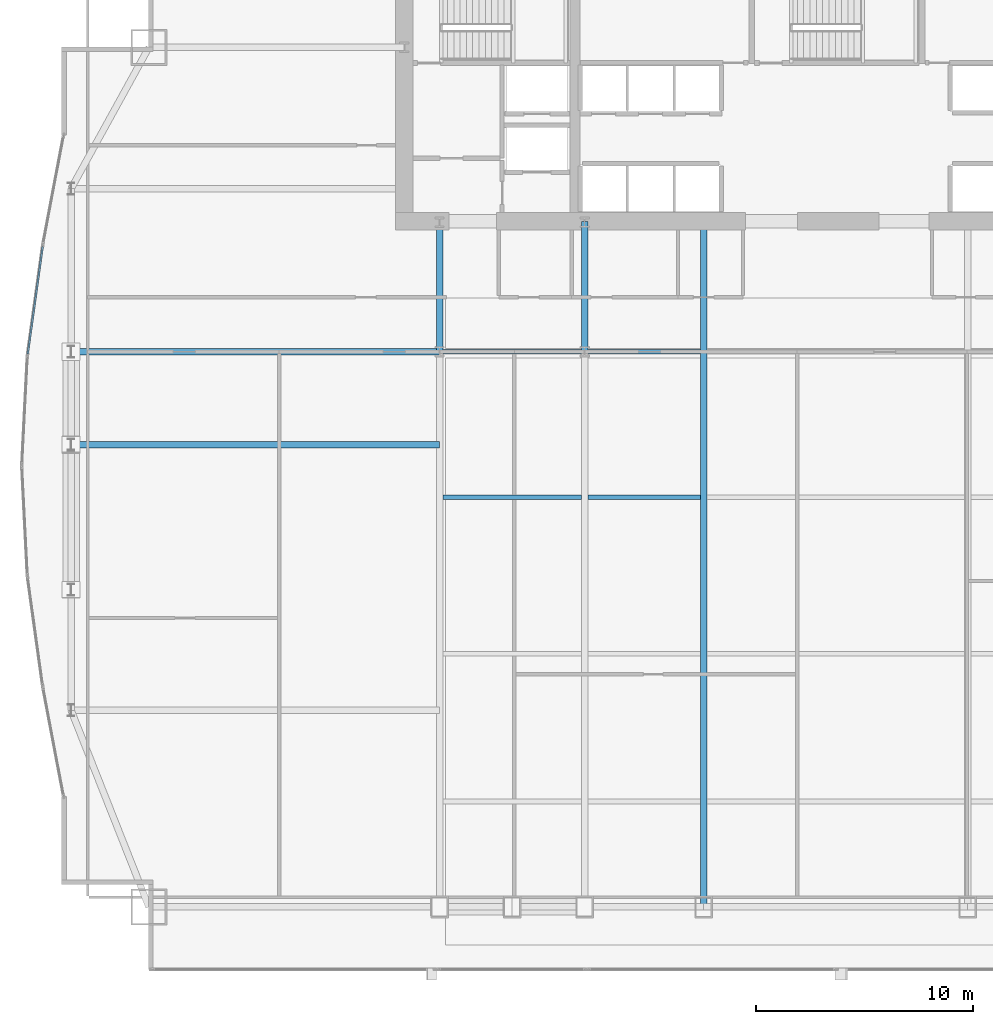
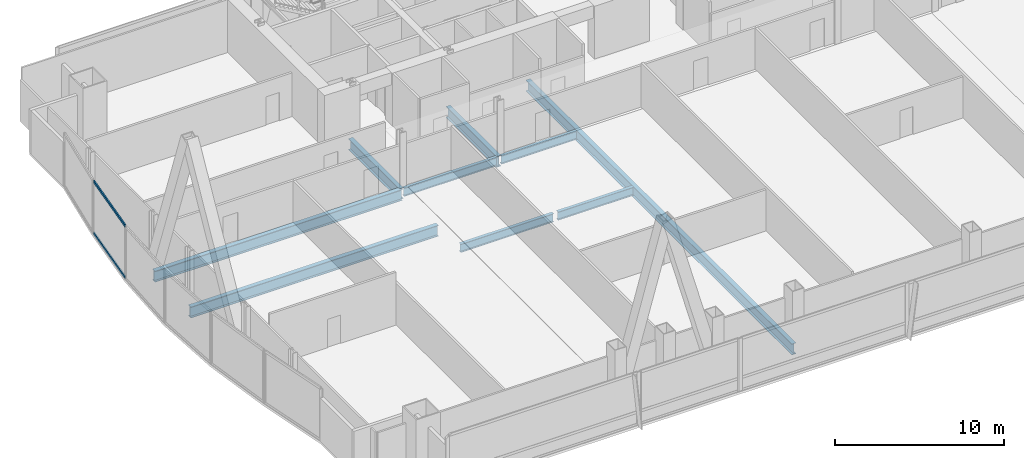
# One storey, part 11 of 37: 9 beams, 2 members, 1 element without a shape of its own.
"""IFC4 building model written with IfcOpenShell, lengths in metres."""

from ifc_helpers import new_model, si_unit, direction, frame, origin, origin_2d, place, context, subcontext, project, spatial, hollow_rectangle, i_section, extrude, material, material_profile, profile_set, type_object, element, aggregate, save


model = new_model("IFC4")

# Units and contexts
model_context = context("Model", 3, precision=1e-05, world=origin(), true_north=direction((0.0, 1.0)))
body_context = subcontext(model_context, "Body", "Model", "MODEL_VIEW")
ifc_project = project(units=[si_unit("LENGTHUNIT", "METRE"), si_unit("AREAUNIT", "SQUARE_METRE"), si_unit("VOLUMEUNIT", "CUBIC_METRE"), si_unit("PLANEANGLEUNIT", "RADIAN"), si_unit("MASSUNIT", "GRAM", prefix="KILO")], contexts=[model_context])

# Site, building, storey
site_placement = place(None, origin())
site = spatial("IfcSite", under=ifc_project, at=site_placement, CompositionType="ELEMENT")
building_placement = place(site_placement, origin())
building = spatial("IfcBuilding", under=site, at=building_placement, Name="Khoronbel Lancet Exchange", CompositionType="ELEMENT")
storey_placement = place(building_placement, frame((0.0, 0.0, 61.800048828125)))
storey = spatial("IfcBuildingStorey", under=building, at=storey_placement, Name="L14", CompositionType="ELEMENT", Elevation=61.800048828125)

# Beams
ifc_material_1 = material(Name="Steel S355", Category="steel")
ifc_material_profile_1 = material_profile(ifc_material_1, i_section(OverallWidth=0.300048828125, OverallDepth=0.800048828125, WebThickness=0.017578125, FlangeThickness=0.032958984375, at=origin_2d()), Name="HEB 800")
ifc_profile_set_1 = profile_set([ifc_material_profile_1], Name="Steel S355")
beam_type_1 = type_object("IfcBeamType", Name="BM-BG2", PredefinedType="BEAM", material=ifc_profile_set_1)
for number, where, z_axis, x_axis, name in (
    (1, (18.22509765625, 35.699951171875, -0.580078125), (0.0, 1.0, 0.0), (-1.0, 0.0, 0.0), "Level L14 spine tie girder GN1"),
    (2, (24.89990234375, 35.699951171875, -0.580078125), (0.0, 1.0, 0.0), (-1.0, 0.0, 0.0), "Level L14 spine tie girder GN2"),
):
    element("IfcBeam", number, at=place(storey_placement, frame(where, z_axis=z_axis, x_axis=x_axis)), inside=storey, type_object=beam_type_1, Name=name, PredefinedType="BEAM", context=body_context, shape_type="SweptSolid", body=[
        extrude(i_section(OverallWidth=0.300048828125, OverallDepth=0.800048828125, WebThickness=0.017578125, FlangeThickness=0.032958984375, at=origin_2d()), origin(), (0.0, 0.0, 1.0), 6.0),
    ])
beam_1_placement = place(storey_placement, frame((30.375, 10.14990234375, -0.580078125), z_axis=(0.0, 1.0, 0.0), x_axis=(-1.0, 0.0, 0.0)))
element("IfcBeam", 3, at=beam_1_placement, inside=storey, type_object=beam_type_1, Name="Level L14 primary floor girder G3", PredefinedType="BEAM", context=body_context, shape_type="SweptSolid", body=[
    extrude(i_section(OverallWidth=0.300048828125, OverallDepth=0.800048828125, WebThickness=0.017578125, FlangeThickness=0.032958984375, at=origin_2d()), origin(), (0.0, 0.0, 1.0), 31.550048828125),
])
for number, where, z_axis, x_axis, name in (
    (4, (1.27001953125, 31.425048828125, -0.580078125), (1.0, 0.0, 0.0), (0.0, 1.0, 0.0), "Level L14 west lens tie girder LG2W"),
    (5, (1.27001953125, 35.699951171875, -0.580078125), (1.0, 0.0, 0.0), (0.0, 1.0, 0.0), "Level L14 west lens tie girder LG4W"),
):
    element("IfcBeam", number, at=place(storey_placement, frame(where, z_axis=z_axis, x_axis=x_axis)), inside=storey, type_object=beam_type_1, Name=name, PredefinedType="BEAM", context=body_context, shape_type="SweptSolid", body=[
        extrude(i_section(OverallWidth=0.300048828125, OverallDepth=0.800048828125, WebThickness=0.017578125, FlangeThickness=0.032958984375, at=origin_2d()), origin(), (0.0, 0.0, 1.0), 16.955078125),
    ])
ifc_material_profile_2 = material_profile(ifc_material_1, i_section(OverallWidth=0.219970703125, OverallDepth=0.60009765625, WebThickness=0.011962890625, FlangeThickness=0.01904296875, at=origin_2d()), Name="IPE 600")
ifc_profile_set_2 = profile_set([ifc_material_profile_2], Name="Steel S355")
beam_type_2 = type_object("IfcBeamType", Name="BM-BJ1", PredefinedType="JOIST", material=ifc_profile_set_2)
beam_2_placement = place(storey_placement, frame((18.375, 29.0, -0.47998046875), z_axis=(1.0, 0.0, 0.0), x_axis=(0.0, 1.0, 0.0)))
element("IfcBeam", 6, at=beam_2_placement, inside=storey, type_object=beam_type_2, Name="Level L14 secondary composite joist J11", PredefinedType="JOIST", context=body_context, shape_type="SweptSolid", body=[
    extrude(i_section(OverallWidth=0.219970703125, OverallDepth=0.60009765625, WebThickness=0.011962890625, FlangeThickness=0.01904296875, at=origin_2d()), origin(), (0.0, 0.0, 1.0), 6.375),
])
beam_3_placement = place(storey_placement, frame((25.050048828125, 29.0, -0.47998046875), z_axis=(1.0, 0.0, 0.0), x_axis=(0.0, 1.0, 0.0)))
element("IfcBeam", 7, at=beam_3_placement, inside=storey, type_object=beam_type_2, Name="Level L14 secondary composite joist J12", PredefinedType="JOIST", context=body_context, shape_type="SweptSolid", body=[
    extrude(i_section(OverallWidth=0.219970703125, OverallDepth=0.60009765625, WebThickness=0.011962890625, FlangeThickness=0.01904296875, at=origin_2d()), origin(), (0.0, 0.0, 1.0), 5.175048828125),
])
beam_4_placement = place(storey_placement, frame((18.375, 35.699951171875, -0.47998046875), z_axis=(1.0, 0.0, 0.0), x_axis=(0.0, 1.0, 0.0)))
element("IfcBeam", 8, at=beam_4_placement, inside=storey, type_object=beam_type_2, Name="Level L14 secondary composite joist J16", PredefinedType="JOIST", context=body_context, shape_type="SweptSolid", body=[
    extrude(i_section(OverallWidth=0.219970703125, OverallDepth=0.60009765625, WebThickness=0.011962890625, FlangeThickness=0.01904296875, at=origin_2d()), origin(), (0.0, 0.0, 1.0), 6.375),
])
beam_5_placement = place(storey_placement, frame((25.050048828125, 35.699951171875, -0.47998046875), z_axis=(1.0, 0.0, 0.0), x_axis=(0.0, 1.0, 0.0)))
element("IfcBeam", 9, at=beam_5_placement, inside=storey, type_object=beam_type_2, Name="Level L14 secondary composite joist J17", PredefinedType="JOIST", context=body_context, shape_type="SweptSolid", body=[
    extrude(i_section(OverallWidth=0.219970703125, OverallDepth=0.60009765625, WebThickness=0.011962890625, FlangeThickness=0.01904296875, at=origin_2d()), origin(), (0.0, 0.0, 1.0), 5.175048828125),
])

# Curtain wall, members
ifc_material_2 = material(Name="Low-E Solar Control Insulating Glass", Category="glass")
curtain_wall_type = type_object("IfcCurtainWallType", Name="CW-4", PredefinedType="NOTDEFINED", material=ifc_material_2)
curtain_wall_placement = place(storey_placement, origin())
curtain_wall = element("IfcCurtainWall", 10, at=curtain_wall_placement, inside=storey, type_object=curtain_wall_type, Name="Unitised curtain wall CW-L14-E08", PredefinedType="NOTDEFINED")
ifc_material_3 = material(Name="Bronze-Anodised Aluminium 6063-T6", Category="aluminium")
ifc_material_profile_3 = material_profile(ifc_material_3, hollow_rectangle(XDim=0.0849609375, YDim=0.179931640625, WallThickness=0.0048828125, at=origin_2d()), Name="ALU TRANSOM 85x180")
ifc_profile_set_3 = profile_set([ifc_material_profile_3], Name="Bronze-Anodised Aluminium 6063-T6")
member_type = type_object("IfcMemberType", Name="MEM-CWT1", PredefinedType="USERDEFINED", material=ifc_profile_set_3)
member_1_placement = place(storey_placement, frame((-0.7216796875, 35.59912109375, 0.04248046875), z_axis=(0.137669987202, 0.990478154541, 0.0), x_axis=(-0.990478154541, 0.137669987202, 0.0)))
member_1 = element("IfcMember", 11, at=member_1_placement, type_object=member_type, Name="CW4 transom 1.1", ObjectType="TRANSOM", PredefinedType="USERDEFINED", context=body_context, shape_type="SweptSolid", body=[
    extrude(hollow_rectangle(XDim=0.0849609375, YDim=0.179931640625, WallThickness=0.0048828125, at=origin_2d()), origin(), (0.0, 0.0, 1.0), 4.97607421875),
])
member_2_placement = place(storey_placement, frame((-0.7216796875, 35.59912109375, 3.77734375), z_axis=(0.137669987202, 0.990478154541, 0.0), x_axis=(-0.990478154541, 0.137669987202, 0.0)))
member_2 = element("IfcMember", 12, at=member_2_placement, type_object=member_type, Name="CW4 transom 1.2", ObjectType="TRANSOM", PredefinedType="USERDEFINED", context=body_context, shape_type="SweptSolid", body=[
    extrude(hollow_rectangle(XDim=0.0849609375, YDim=0.179931640625, WallThickness=0.0048828125, at=origin_2d()), origin(), (0.0, 0.0, 1.0), 4.97607421875),
])
aggregate(curtain_wall, [member_1, member_2])

save(model, "model.ifc")
